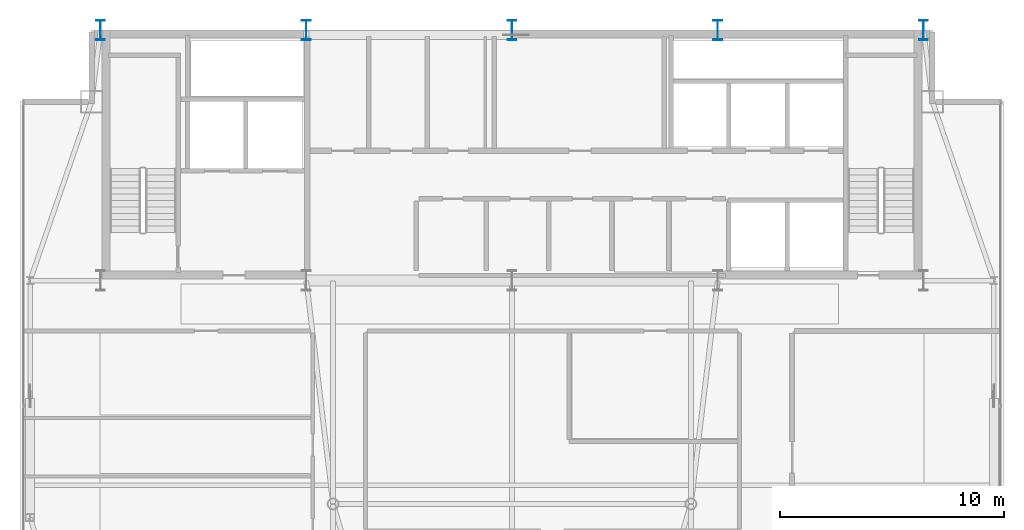
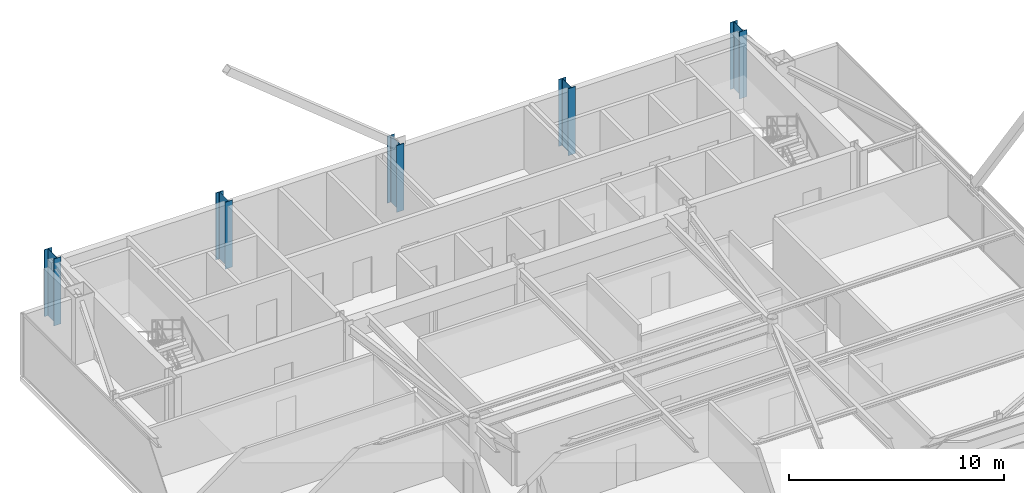
# One storey, part 3 of 24: 5 columns.
"""IFC4 building model written with IfcOpenShell, lengths in metres."""

from ifc_helpers import new_model, si_unit, direction, frame, origin, origin_2d, place, context, subcontext, project, spatial, i_section, extrude, source, transform, mapped, material, material_profile, profile_set, type_object, type_shapes, element, save


model = new_model("IFC4")

# Units and contexts
model_context = context("Model", 3, precision=1e-05, world=origin(), true_north=direction((0.0, 1.0)))
body_context = subcontext(model_context, "Body", "Model", "MODEL_VIEW")
ifc_project = project(units=[si_unit("LENGTHUNIT", "METRE"), si_unit("AREAUNIT", "SQUARE_METRE"), si_unit("VOLUMEUNIT", "CUBIC_METRE"), si_unit("PLANEANGLEUNIT", "RADIAN"), si_unit("MASSUNIT", "GRAM", prefix="KILO")], contexts=[model_context])

# Site, building, storey
site_placement = place(None, origin())
site = spatial("IfcSite", under=ifc_project, at=site_placement, CompositionType="ELEMENT")
building_placement = place(site_placement, origin())
building = spatial("IfcBuilding", under=site, at=building_placement, Name="Varnel Quay Broadcast Tower", CompositionType="ELEMENT")
storey_placement = place(building_placement, frame((0.0, 0.0, 262.199951171875)))
storey = spatial("IfcBuildingStorey", under=building, at=storey_placement, Name="L65", CompositionType="ELEMENT", Elevation=262.199951171875)

# Columns
ifc_material = material(Name="Structural Steel CSA G40.21 350WT", Category="steel")
ifc_material_profile = material_profile(ifc_material, i_section(OverallWidth=0.39990234375, OverallDepth=0.89990234375, WebThickness=0.01611328125, FlangeThickness=0.028076171875, FilletRadius=0.01611328125, at=origin_2d()), Name="WWF900X309")
ifc_profile_set = profile_set([ifc_material_profile], Name="Structural Steel CSA G40.21 350WT")
column_type = type_object("IfcColumnType", Name="Col_WWF900X309", PredefinedType="COLUMN", material=ifc_profile_set)
shared_shape = source(origin(), body_context, "Body", "SweptSolid", [
    extrude(i_section(OverallWidth=0.39990234375, OverallDepth=0.89990234375, WebThickness=0.01611328125, FlangeThickness=0.028076171875, FilletRadius=0.01611328125, at=origin_2d()), origin(), (0.0, 0.0, 1.0), 3.800048828125),
])
type_shapes(column_type, [shared_shape])
for number, where, z_axis, x_axis, name in (
    (1, (15.60009765625, 46.800048828125, 0.0), (0.0, 0.0, 1.0), (1.0, 0.0, 0.0), "L65 Column CC-N1"),
    (2, (24.800048828125, 46.800048828125, 0.0), (0.0, 0.0, 1.0), (1.0, 0.0, 0.0), "L65 Column CC-N2"),
    (3, (34.0, 46.800048828125, 0.0), (0.0, 0.0, 1.0), (1.0, 0.0, 0.0), "L65 Column CC-N3"),
    (4, (43.199951171875, 46.800048828125, 0.0), (0.0, 0.0, 1.0), (1.0, 0.0, 0.0), "L65 Column CC-N4"),
    (5, (52.39990234375, 46.800048828125, 0.0), (0.0, 0.0, 1.0), (1.0, 0.0, 0.0), "L65 Column CC-N5"),
):
    element("IfcColumn", number, at=place(storey_placement, frame(where, z_axis=z_axis, x_axis=x_axis)), inside=storey, type_object=column_type, Name=name, PredefinedType="COLUMN", context=body_context, shape_type="MappedRepresentation", body=[
        mapped(shared_shape, transform((0.0, 0.0, 0.0), x_axis=(1.0, 0.0, 0.0), y_axis=(0.0, 1.0, 0.0), z_axis=(0.0, 0.0, 1.0), scale=1.0)),
    ])

save(model, "model.ifc")
